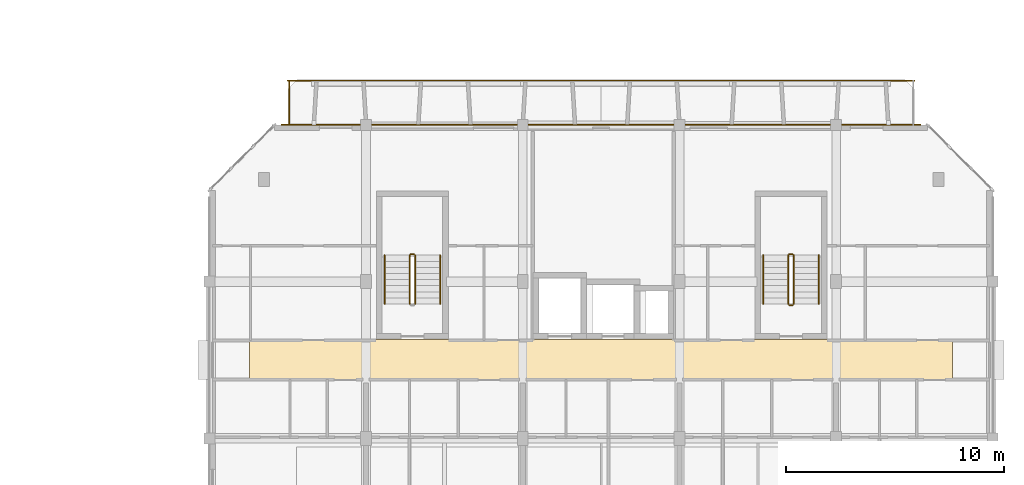
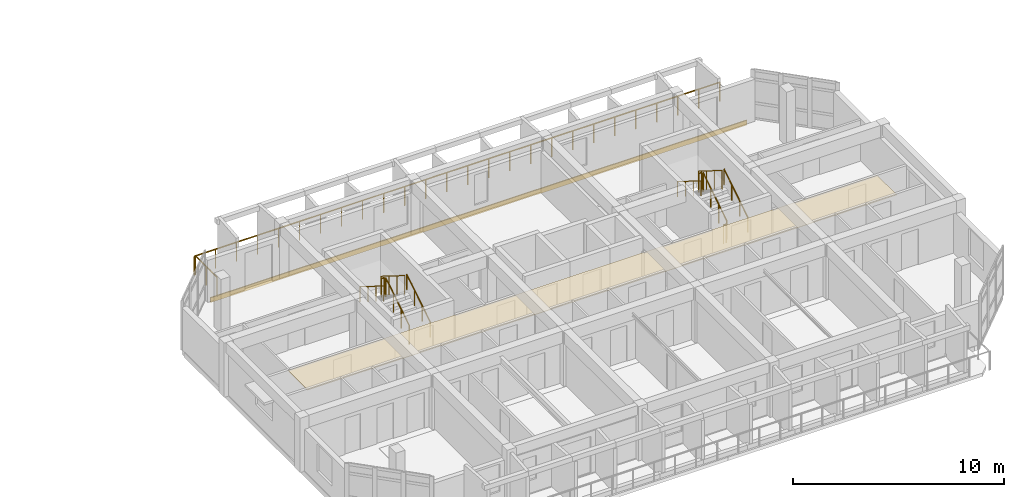
# One storey, part 41 of 44: 13 railings, 2 coverings.
"""IFC4 building model written with IfcOpenShell, lengths in metres."""

from ifc_helpers import new_model, si_unit, direction, frame, origin, origin_2d, place, context, subcontext, project, spatial, polyline, rectangle, circle, outline, extrude, material, layer, layer_set, type_object, element, save


model = new_model("IFC4")

# Units and contexts
model_context = context("Model", 3, precision=1e-05, world=origin(), true_north=direction((0.0, 1.0)))
body_context = subcontext(model_context, "Body", "Model", "MODEL_VIEW")
ifc_project = project(units=[si_unit("LENGTHUNIT", "METRE"), si_unit("AREAUNIT", "SQUARE_METRE"), si_unit("VOLUMEUNIT", "CUBIC_METRE"), si_unit("PLANEANGLEUNIT", "RADIAN"), si_unit("MASSUNIT", "GRAM", prefix="KILO")], contexts=[model_context])

# Site, building, storey
site_placement = place(None, origin())
site = spatial("IfcSite", under=ifc_project, at=site_placement, CompositionType="ELEMENT")
building_placement = place(site_placement, origin())
building = spatial("IfcBuilding", under=site, at=building_placement, Name="Ochrevale Crest", CompositionType="ELEMENT")
storey_placement = place(building_placement, frame((0.0, 0.0, 21.300048828125)))
storey = spatial("IfcBuildingStorey", under=building, at=storey_placement, Name="L06", CompositionType="ELEMENT", Elevation=21.300048828125)

# Coverings
ifc_material_1 = material(Name="Gypsum plasterboard", Category="gypsum")
ifc_layer_1 = layer(ifc_material_1, 0.02490234375)
ifc_layer_set_1 = layer_set([ifc_layer_1], Name="Gypsum plasterboard")
covering_type_1 = type_object("IfcCoveringType", Name="COV-CEIL-GYP", PredefinedType="CEILING", material=ifc_layer_set_1)
covering_1_placement = place(storey_placement, frame((0.0, 0.0, 2.280029296875)))
element("IfcCovering", 1, at=covering_1_placement, inside=storey, type_object=covering_type_1, Name="Block C L06 acoustic corridor ceiling", PredefinedType="CEILING", context=body_context, shape_type="SweptSolid", body=[
    extrude(outline(polyline([(131.449951171875, 24.260009765625), (163.75, 24.260009765625), (163.75, 26.139892578125), (131.449951171875, 26.139892578125), (131.449951171875, 24.260009765625)])), origin(), (0.0, 0.0, 1.0), 0.02490234375),
])
ifc_material_2 = material(Name="Glazed terracotta rainscreen tile", Category="masonry")
ifc_layer_2 = layer(ifc_material_2, 0.048095703125)
ifc_layer_set_2 = layer_set([ifc_layer_2], Name="Glazed terracotta rainscreen tile")
covering_type_2 = type_object("IfcCoveringType", Name="COV-CLAD-TER", PredefinedType="CLADDING", material=ifc_layer_set_2)
covering_2_placement = place(storey_placement, frame((147.60009765625, 36.012451171875, -0.26025390625), z_axis=(0.0, 0.0, 1.0), x_axis=(-1.0, 0.0, 0.0)))
element("IfcCovering", 2, at=covering_2_placement, inside=storey, type_object=covering_type_2, Name="Block C L06 terracotta slab-edge spandrel cladding", PredefinedType="CLADDING", context=body_context, shape_type="SweptSolid", body=[
    extrude(rectangle(XDim=29.39990234375, YDim=0.06005859375, at=origin_2d()), origin(), (0.0, 0.0, 1.0), 0.280029296875),
])

# Railings
ifc_material_3 = material(Name="Galvanised steel", Category="steel")
railing_type_1 = type_object("IfcRailingType", Name="RL-BAL-1100", PredefinedType="BALUSTRADE", material=ifc_material_3)
railing_1_placement = place(storey_placement, frame((133.199951171875, 38.0400390625, 0.0)))
element("IfcRailing", 3, at=railing_1_placement, inside=storey, type_object=railing_type_1, Name="Block C L06 N balcony front balustrade", PredefinedType="BALUSTRADE", context=body_context, shape_type="SweptSolid", body=[
    extrude(circle(Radius=0.02392578125, at=origin_2d()), frame((0.0, 0.0, 1.0859375), z_axis=(1.0, 0.0, 0.0), x_axis=(0.0, 1.0, 0.0)), (0.0, 0.0, 1.0), 28.800048828125),
    extrude(circle(Radius=0.02099609375, at=origin_2d()), origin(), (0.0, 0.0, 1.0), 1.06201171875),
    extrude(circle(Radius=0.02099609375, at=origin_2d()), frame((1.152099609375, 0.0, 0.0)), (0.0, 0.0, 1.0), 1.06201171875),
    extrude(circle(Radius=0.02099609375, at=origin_2d()), frame((2.303955078125, 0.0, 0.0)), (0.0, 0.0, 1.0), 1.06201171875),
    extrude(circle(Radius=0.02099609375, at=origin_2d()), frame((3.4560546875, 0.0, 0.0)), (0.0, 0.0, 1.0), 1.06201171875),
    extrude(circle(Radius=0.02099609375, at=origin_2d()), frame((4.60791015625, 0.0, 0.0)), (0.0, 0.0, 1.0), 1.06201171875),
    extrude(circle(Radius=0.02099609375, at=origin_2d()), frame((5.760009765625, 0.0, 0.0)), (0.0, 0.0, 1.0), 1.06201171875),
    extrude(circle(Radius=0.02099609375, at=origin_2d()), frame((6.912109375, 0.0, 0.0)), (0.0, 0.0, 1.0), 1.06201171875),
    extrude(circle(Radius=0.02099609375, at=origin_2d()), frame((8.06396484375, 0.0, 0.0)), (0.0, 0.0, 1.0), 1.06201171875),
    extrude(circle(Radius=0.02099609375, at=origin_2d()), frame((9.216064453125, 0.0, 0.0)), (0.0, 0.0, 1.0), 1.06201171875),
    extrude(circle(Radius=0.02099609375, at=origin_2d()), frame((10.367919921875, 0.0, 0.0)), (0.0, 0.0, 1.0), 1.06201171875),
    extrude(circle(Radius=0.02099609375, at=origin_2d()), frame((11.52001953125, 0.0, 0.0)), (0.0, 0.0, 1.0), 1.06201171875),
    extrude(circle(Radius=0.02099609375, at=origin_2d()), frame((12.672119140625, 0.0, 0.0)), (0.0, 0.0, 1.0), 1.06201171875),
    extrude(circle(Radius=0.02099609375, at=origin_2d()), frame((13.823974609375, 0.0, 0.0)), (0.0, 0.0, 1.0), 1.06201171875),
    extrude(circle(Radius=0.02099609375, at=origin_2d()), frame((14.97607421875, 0.0, 0.0)), (0.0, 0.0, 1.0), 1.06201171875),
    extrude(circle(Radius=0.02099609375, at=origin_2d()), frame((16.1279296875, 0.0, 0.0)), (0.0, 0.0, 1.0), 1.06201171875),
    extrude(circle(Radius=0.02099609375, at=origin_2d()), frame((17.280029296875, 0.0, 0.0)), (0.0, 0.0, 1.0), 1.06201171875),
    extrude(circle(Radius=0.02099609375, at=origin_2d()), frame((18.43212890625, 0.0, 0.0)), (0.0, 0.0, 1.0), 1.06201171875),
    extrude(circle(Radius=0.02099609375, at=origin_2d()), frame((19.583984375, 0.0, 0.0)), (0.0, 0.0, 1.0), 1.06201171875),
    extrude(circle(Radius=0.02099609375, at=origin_2d()), frame((20.736083984375, 0.0, 0.0)), (0.0, 0.0, 1.0), 1.06201171875),
    extrude(circle(Radius=0.02099609375, at=origin_2d()), frame((21.887939453125, 0.0, 0.0)), (0.0, 0.0, 1.0), 1.06201171875),
    extrude(circle(Radius=0.02099609375, at=origin_2d()), frame((23.0400390625, 0.0, 0.0)), (0.0, 0.0, 1.0), 1.06201171875),
    extrude(circle(Radius=0.02099609375, at=origin_2d()), frame((24.192138671875, 0.0, 0.0)), (0.0, 0.0, 1.0), 1.06201171875),
    extrude(circle(Radius=0.02099609375, at=origin_2d()), frame((25.343994140625, 0.0, 0.0)), (0.0, 0.0, 1.0), 1.06201171875),
    extrude(circle(Radius=0.02099609375, at=origin_2d()), frame((26.49609375, 0.0, 0.0)), (0.0, 0.0, 1.0), 1.06201171875),
    extrude(circle(Radius=0.02099609375, at=origin_2d()), frame((27.64794921875, 0.0, 0.0)), (0.0, 0.0, 1.0), 1.06201171875),
    extrude(circle(Radius=0.02099609375, at=origin_2d()), frame((28.800048828125, 0.0, 0.0)), (0.0, 0.0, 1.0), 1.06201171875),
])
railing_2_placement = place(storey_placement, frame((133.260009765625, 36.0, 0.0)))
element("IfcRailing", 4, at=railing_2_placement, inside=storey, type_object=railing_type_1, Name="Block C L06 N-W balcony side guard", PredefinedType="BALUSTRADE", context=body_context, shape_type="SweptSolid", body=[
    extrude(circle(Radius=0.02392578125, at=origin_2d()), frame((0.0, 0.0, 1.0859375), z_axis=(0.0, 1.0, 0.0), x_axis=(-1.0, 0.0, 0.0)), (0.0, 0.0, 1.0), 2.0400390625),
    extrude(circle(Radius=0.02099609375, at=origin_2d()), origin(), (0.0, 0.0, 1.0), 1.06201171875),
    extrude(circle(Radius=0.02099609375, at=origin_2d()), frame((0.0, 1.02001953125, 0.0)), (0.0, 0.0, 1.0), 1.06201171875),
    extrude(circle(Radius=0.02099609375, at=origin_2d()), frame((0.0, 2.0400390625, 0.0)), (0.0, 0.0, 1.0), 1.06201171875),
])
railing_type_2 = type_object("IfcRailingType", Name="RL-ST-GUARD", PredefinedType="BALUSTRADE", material=ifc_material_3)
railing_3_placement = place(storey_placement, frame((139.050048828125, 27.77490234375, 0.175048828125)))
element("IfcRailing", 5, at=railing_3_placement, inside=storey, type_object=railing_type_2, Name="L06 ST-C1 stair guard 1", PredefinedType="BALUSTRADE", context=body_context, shape_type="SweptSolid", body=[
    extrude(circle(Radius=0.02392578125, at=origin_2d()), frame((0.0, 0.0, 1.076171875), z_axis=(0.0, 0.848013881152, 0.529974015752), x_axis=(-1.0, 0.0, 0.0)), (0.0, 0.0, 1.0), 2.641357421875),
    extrude(circle(Radius=0.02099609375, at=origin_2d()), origin(), (0.0, 0.0, 1.0), 1.052001953125),
    extrude(circle(Radius=0.02099609375, at=origin_2d()), frame((0.0, 0.74658203125, 0.466552734375)), (0.0, 0.0, 1.0), 1.052001953125),
    extrude(circle(Radius=0.02099609375, at=origin_2d()), frame((0.0, 1.493408203125, 0.933349609375)), (0.0, 0.0, 1.0), 1.052001953125),
    extrude(circle(Radius=0.02099609375, at=origin_2d()), frame((0.0, 2.239990234375, 1.39990234375)), (0.0, 0.0, 1.0), 1.052001953125),
])
railing_4_placement = place(storey_placement, frame((139.0, 30.06494140625, 1.574951171875)))
element("IfcRailing", 6, at=railing_4_placement, inside=storey, type_object=railing_type_2, Name="L06 ST-C1 stair guard 2", PredefinedType="BALUSTRADE", context=body_context, shape_type="SweptSolid", body=[
    extrude(circle(Radius=0.02392578125, at=origin_2d()), frame((0.0, 0.0, 1.076171875), z_axis=(-1.0, 0.0, 0.0), x_axis=(0.0, -1.0, 0.0)), (0.0, 0.0, 1.0), 0.14990234375),
    extrude(circle(Radius=0.02099609375, at=origin_2d()), origin(), (0.0, 0.0, 1.0), 1.052001953125),
    extrude(circle(Radius=0.02099609375, at=origin_2d()), frame((-0.14990234375, 0.0, 0.0)), (0.0, 0.0, 1.0), 1.052001953125),
])
railing_5_placement = place(storey_placement, frame((138.800048828125, 30.014892578125, 1.75)))
element("IfcRailing", 7, at=railing_5_placement, inside=storey, type_object=railing_type_2, Name="L06 ST-C1 stair guard 3", PredefinedType="BALUSTRADE", context=body_context, shape_type="SweptSolid", body=[
    extrude(circle(Radius=0.02392578125, at=origin_2d()), frame((0.0, 0.0, 1.076171875), z_axis=(0.0, -0.848013881152, 0.529974015752), x_axis=(1.0, 0.0, 0.0)), (0.0, 0.0, 1.0), 2.641357421875),
    extrude(circle(Radius=0.02099609375, at=origin_2d()), origin(), (0.0, 0.0, 1.0), 1.052001953125),
    extrude(circle(Radius=0.02099609375, at=origin_2d()), frame((0.0, -0.74658203125, 0.466552734375)), (0.0, 0.0, 1.0), 1.052001953125),
    extrude(circle(Radius=0.02099609375, at=origin_2d()), frame((0.0, -1.493408203125, 0.933349609375)), (0.0, 0.0, 1.0), 1.052001953125),
    extrude(circle(Radius=0.02099609375, at=origin_2d()), frame((0.0, -2.239990234375, 1.39990234375)), (0.0, 0.0, 1.0), 1.052001953125),
])
railing_6_placement = place(storey_placement, frame((156.449951171875, 27.77490234375, 0.175048828125)))
element("IfcRailing", 8, at=railing_6_placement, inside=storey, type_object=railing_type_2, Name="L06 ST-C2 stair guard 1", PredefinedType="BALUSTRADE", context=body_context, shape_type="SweptSolid", body=[
    extrude(circle(Radius=0.02392578125, at=origin_2d()), frame((0.0, 0.0, 1.076171875), z_axis=(0.0, 0.848013881152, 0.529974015752), x_axis=(-1.0, 0.0, 0.0)), (0.0, 0.0, 1.0), 2.641357421875),
    extrude(circle(Radius=0.02099609375, at=origin_2d()), origin(), (0.0, 0.0, 1.0), 1.052001953125),
    extrude(circle(Radius=0.02099609375, at=origin_2d()), frame((0.0, 0.74658203125, 0.466552734375)), (0.0, 0.0, 1.0), 1.052001953125),
    extrude(circle(Radius=0.02099609375, at=origin_2d()), frame((0.0, 1.493408203125, 0.933349609375)), (0.0, 0.0, 1.0), 1.052001953125),
    extrude(circle(Radius=0.02099609375, at=origin_2d()), frame((0.0, 2.239990234375, 1.39990234375)), (0.0, 0.0, 1.0), 1.052001953125),
])
railing_7_placement = place(storey_placement, frame((156.39990234375, 30.06494140625, 1.574951171875)))
element("IfcRailing", 9, at=railing_7_placement, inside=storey, type_object=railing_type_2, Name="L06 ST-C2 stair guard 2", PredefinedType="BALUSTRADE", context=body_context, shape_type="SweptSolid", body=[
    extrude(circle(Radius=0.02392578125, at=origin_2d()), frame((0.0, 0.0, 1.076171875), z_axis=(-1.0, 0.0, 0.0), x_axis=(0.0, -1.0, 0.0)), (0.0, 0.0, 1.0), 0.14990234375),
    extrude(circle(Radius=0.02099609375, at=origin_2d()), origin(), (0.0, 0.0, 1.0), 1.052001953125),
    extrude(circle(Radius=0.02099609375, at=origin_2d()), frame((-0.14990234375, 0.0, 0.0)), (0.0, 0.0, 1.0), 1.052001953125),
])
railing_8_placement = place(storey_placement, frame((156.199951171875, 30.014892578125, 1.75)))
element("IfcRailing", 10, at=railing_8_placement, inside=storey, type_object=railing_type_2, Name="L06 ST-C2 stair guard 3", PredefinedType="BALUSTRADE", context=body_context, shape_type="SweptSolid", body=[
    extrude(circle(Radius=0.02392578125, at=origin_2d()), frame((0.0, 0.0, 1.076171875), z_axis=(0.0, -0.848013881152, 0.529974015752), x_axis=(1.0, 0.0, 0.0)), (0.0, 0.0, 1.0), 2.641357421875),
    extrude(circle(Radius=0.02099609375, at=origin_2d()), origin(), (0.0, 0.0, 1.0), 1.052001953125),
    extrude(circle(Radius=0.02099609375, at=origin_2d()), frame((0.0, -0.74658203125, 0.466552734375)), (0.0, 0.0, 1.0), 1.052001953125),
    extrude(circle(Radius=0.02099609375, at=origin_2d()), frame((0.0, -1.493408203125, 0.933349609375)), (0.0, 0.0, 1.0), 1.052001953125),
    extrude(circle(Radius=0.02099609375, at=origin_2d()), frame((0.0, -2.239990234375, 1.39990234375)), (0.0, 0.0, 1.0), 1.052001953125),
])
railing_9_placement = place(storey_placement, frame((156.39990234375, 27.72509765625, 0.0)))
element("IfcRailing", 11, at=railing_9_placement, inside=storey, type_object=railing_type_2, Name="L06 ST-C2 stair guard 4", PredefinedType="BALUSTRADE", context=body_context, shape_type="SweptSolid", body=[
    extrude(circle(Radius=0.02392578125, at=origin_2d()), frame((0.0, 0.0, 1.076171875), z_axis=(-1.0, 0.0, 0.0), x_axis=(0.0, -1.0, 0.0)), (0.0, 0.0, 1.0), 0.14990234375),
    extrude(circle(Radius=0.02099609375, at=origin_2d()), origin(), (0.0, 0.0, 1.0), 1.052001953125),
    extrude(circle(Radius=0.02099609375, at=origin_2d()), frame((-0.14990234375, 0.0, 0.0)), (0.0, 0.0, 1.0), 1.052001953125),
])
ifc_material_4 = material(Name="Stainless steel", Category="steel")
railing_type_3 = type_object("IfcRailingType", Name="RL-ST-HRAIL", PredefinedType="HANDRAIL", material=ifc_material_4)
railing_10_placement = place(storey_placement, frame((140.199951171875, 27.77490234375, 0.175048828125)))
element("IfcRailing", 12, at=railing_10_placement, inside=storey, type_object=railing_type_3, Name="L06 ST-C1 stair handrail 1", PredefinedType="HANDRAIL", context=body_context, shape_type="SweptSolid", body=[
    extrude(circle(Radius=0.02392578125, at=origin_2d()), frame((0.0, 0.0, 0.8759765625), z_axis=(0.0, 0.848013881152, 0.529974015752), x_axis=(-1.0, 0.0, 0.0)), (0.0, 0.0, 1.0), 2.641357421875),
    extrude(circle(Radius=0.02099609375, at=origin_2d()), origin(), (0.0, 0.0, 1.0), 0.851806640625),
    extrude(circle(Radius=0.02099609375, at=origin_2d()), frame((0.0, 0.74658203125, 0.466552734375)), (0.0, 0.0, 1.0), 0.851806640625),
    extrude(circle(Radius=0.02099609375, at=origin_2d()), frame((0.0, 1.493408203125, 0.933349609375)), (0.0, 0.0, 1.0), 0.851806640625),
    extrude(circle(Radius=0.02099609375, at=origin_2d()), frame((0.0, 2.239990234375, 1.39990234375)), (0.0, 0.0, 1.0), 0.851806640625),
])
railing_11_placement = place(storey_placement, frame((137.64990234375, 30.014892578125, 1.75)))
element("IfcRailing", 13, at=railing_11_placement, inside=storey, type_object=railing_type_3, Name="L06 ST-C1 stair handrail 2", PredefinedType="HANDRAIL", context=body_context, shape_type="SweptSolid", body=[
    extrude(circle(Radius=0.02392578125, at=origin_2d()), frame((0.0, 0.0, 0.8759765625), z_axis=(0.0, -0.848013881152, 0.529974015752), x_axis=(1.0, 0.0, 0.0)), (0.0, 0.0, 1.0), 2.641357421875),
    extrude(circle(Radius=0.02099609375, at=origin_2d()), origin(), (0.0, 0.0, 1.0), 0.851806640625),
    extrude(circle(Radius=0.02099609375, at=origin_2d()), frame((0.0, -0.74658203125, 0.466552734375)), (0.0, 0.0, 1.0), 0.851806640625),
    extrude(circle(Radius=0.02099609375, at=origin_2d()), frame((0.0, -1.493408203125, 0.933349609375)), (0.0, 0.0, 1.0), 0.851806640625),
    extrude(circle(Radius=0.02099609375, at=origin_2d()), frame((0.0, -2.239990234375, 1.39990234375)), (0.0, 0.0, 1.0), 0.851806640625),
])
railing_12_placement = place(storey_placement, frame((157.60009765625, 27.77490234375, 0.175048828125)))
element("IfcRailing", 14, at=railing_12_placement, inside=storey, type_object=railing_type_3, Name="L06 ST-C2 stair handrail 1", PredefinedType="HANDRAIL", context=body_context, shape_type="SweptSolid", body=[
    extrude(circle(Radius=0.02392578125, at=origin_2d()), frame((0.0, 0.0, 0.8759765625), z_axis=(0.0, 0.848013881152, 0.529974015752), x_axis=(-1.0, 0.0, 0.0)), (0.0, 0.0, 1.0), 2.641357421875),
    extrude(circle(Radius=0.02099609375, at=origin_2d()), origin(), (0.0, 0.0, 1.0), 0.851806640625),
    extrude(circle(Radius=0.02099609375, at=origin_2d()), frame((0.0, 0.74658203125, 0.466552734375)), (0.0, 0.0, 1.0), 0.851806640625),
    extrude(circle(Radius=0.02099609375, at=origin_2d()), frame((0.0, 1.493408203125, 0.933349609375)), (0.0, 0.0, 1.0), 0.851806640625),
    extrude(circle(Radius=0.02099609375, at=origin_2d()), frame((0.0, 2.239990234375, 1.39990234375)), (0.0, 0.0, 1.0), 0.851806640625),
])
railing_13_placement = place(storey_placement, frame((155.050048828125, 30.014892578125, 1.75)))
element("IfcRailing", 15, at=railing_13_placement, inside=storey, type_object=railing_type_3, Name="L06 ST-C2 stair handrail 2", PredefinedType="HANDRAIL", context=body_context, shape_type="SweptSolid", body=[
    extrude(circle(Radius=0.02392578125, at=origin_2d()), frame((0.0, 0.0, 0.8759765625), z_axis=(0.0, -0.848013881152, 0.529974015752), x_axis=(1.0, 0.0, 0.0)), (0.0, 0.0, 1.0), 2.641357421875),
    extrude(circle(Radius=0.02099609375, at=origin_2d()), origin(), (0.0, 0.0, 1.0), 0.851806640625),
    extrude(circle(Radius=0.02099609375, at=origin_2d()), frame((0.0, -0.74658203125, 0.466552734375)), (0.0, 0.0, 1.0), 0.851806640625),
    extrude(circle(Radius=0.02099609375, at=origin_2d()), frame((0.0, -1.493408203125, 0.933349609375)), (0.0, 0.0, 1.0), 0.851806640625),
    extrude(circle(Radius=0.02099609375, at=origin_2d()), frame((0.0, -2.239990234375, 1.39990234375)), (0.0, 0.0, 1.0), 0.851806640625),
])

save(model, "model.ifc")
